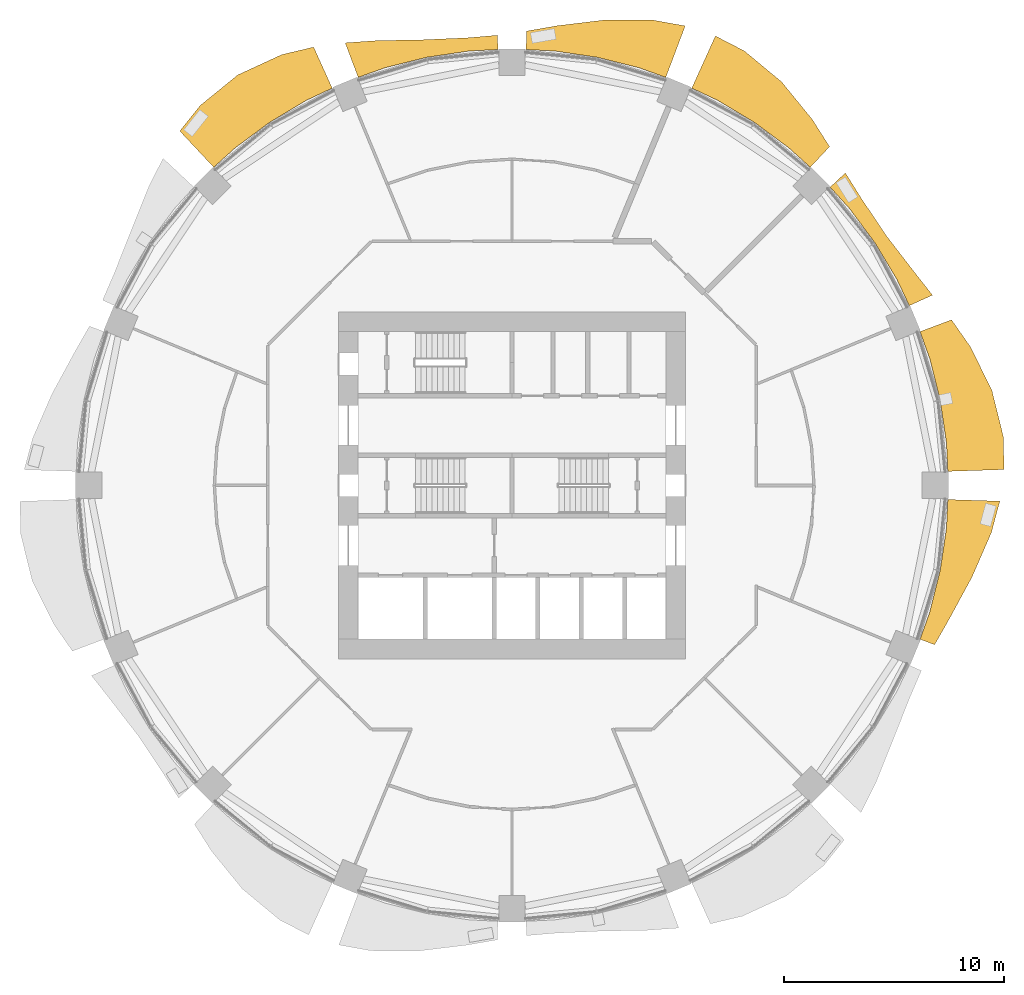
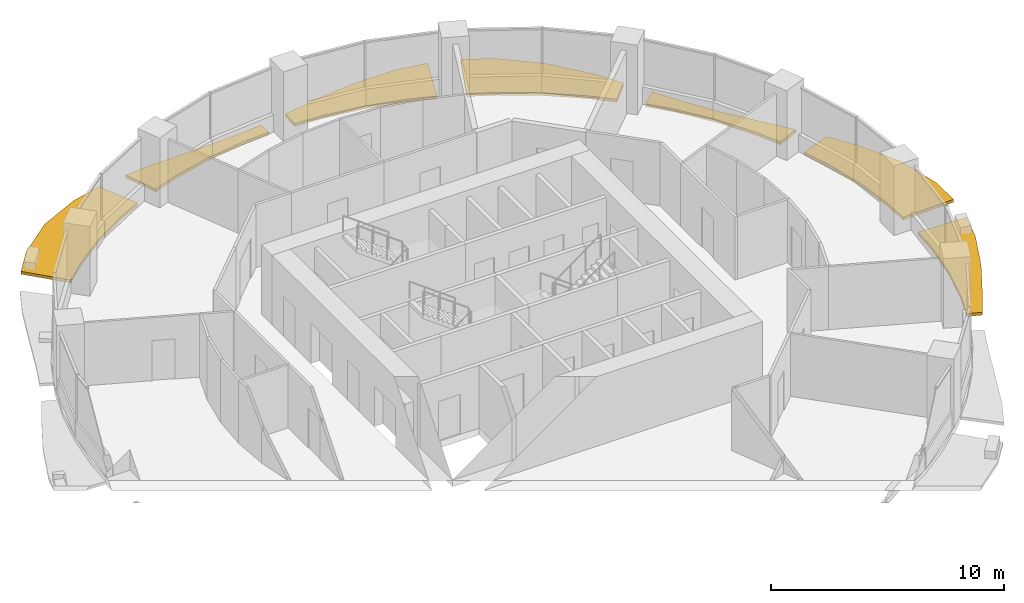
# One storey, part 14 of 15: 7 shading devices.
"""IFC4 building model written with IfcOpenShell, lengths in metres."""

from ifc_helpers import new_model, si_unit, direction, frame, origin, place, context, subcontext, project, spatial, polyline, outline, extrude, material, type_object, element, save


model = new_model("IFC4")

# Units and contexts
model_context = context("Model", 3, precision=1e-05, world=origin(), true_north=direction((0.0, 1.0)))
body_context = subcontext(model_context, "Body", "Model", "MODEL_VIEW")
ifc_project = project(units=[si_unit("LENGTHUNIT", "METRE"), si_unit("AREAUNIT", "SQUARE_METRE"), si_unit("VOLUMEUNIT", "CUBIC_METRE"), si_unit("PLANEANGLEUNIT", "RADIAN"), si_unit("MASSUNIT", "GRAM", prefix="KILO")], contexts=[model_context])

# Site, building, storey
site_placement = place(None, origin())
site = spatial("IfcSite", under=ifc_project, at=site_placement, CompositionType="ELEMENT")
building_placement = place(site_placement, origin())
building = spatial("IfcBuilding", under=site, at=building_placement, Name="Polderwave Tower", CompositionType="ELEMENT")
storey_placement = place(building_placement, frame((0.0, 0.0, 26.199951171875)))
storey = spatial("IfcBuildingStorey", under=building, at=storey_placement, Name="L06", CompositionType="ELEMENT", Elevation=26.199951171875)

# Shading devices
ifc_material = material(Name="Terracotta", Category="masonry")
shading_device_type = type_object("IfcShadingDeviceType", Name="Terracotta sunshade band", PredefinedType="USERDEFINED", material=ifc_material)
shading_device_1_placement = place(storey_placement, frame((0.0, 0.0, -0.349853515625)))
element("IfcShadingDevice", 1, at=shading_device_1_placement, inside=storey, type_object=shading_device_type, Name="Sunshade band L06 1", ObjectType="SUNSHADE", PredefinedType="USERDEFINED", context=body_context, shape_type="SweptSolid", body=[
    extrude(outline(polyline([(19.768798828125, 0.6376953125), (19.70458984375, 1.940673828125), (19.41943359375, 3.86279296875), (18.947509765625, 5.74755859375), (18.5078125, 6.97607421875), (19.93505859375, 7.513916015625), (20.7802734375, 6.3037109375), (21.762939453125, 4.328857421875), (22.28955078125, 2.1953125), (22.3154296875, 0.719970703125), (19.768798828125, 0.6376953125)])), origin(), (0.0, 0.0, 1.0), 0.14990234375),
])
shading_device_2_placement = place(storey_placement, frame((0.0, 0.0, -0.349853515625)))
element("IfcShadingDevice", 2, at=shading_device_2_placement, inside=storey, type_object=shading_device_type, Name="Sunshade band L06 2", ObjectType="SUNSHADE", PredefinedType="USERDEFINED", context=body_context, shape_type="SweptSolid", body=[
    extrude(outline(polyline([(18.019775390625, 8.154296875), (17.4619140625, 9.333740234375), (16.463134765625, 11.000244140625), (15.3056640625, 12.56103515625), (14.429443359375, 13.527587890625), (15.120849609375, 14.17578125), (15.851318359375, 13.0087890625), (16.968505859375, 11.337890625), (18.206298828125, 9.7314453125), (19.071533203125, 8.630126953125), (18.019775390625, 8.154296875)])), origin(), (0.0, 0.0, 1.0), 0.14990234375),
])
shading_device_3_placement = place(storey_placement, frame((0.0, 0.0, -0.349853515625)))
element("IfcShadingDevice", 3, at=shading_device_3_placement, inside=storey, type_object=shading_device_type, Name="Sunshade band L06 3", ObjectType="SUNSHADE", PredefinedType="USERDEFINED", context=body_context, shape_type="SweptSolid", body=[
    extrude(outline(polyline([(13.527587890625, 14.429443359375), (12.56103515625, 15.3056640625), (11.000244140625, 16.463134765625), (9.333740234375, 17.4619140625), (8.154296875, 18.019775390625), (9.22509765625, 20.385986328125), (10.53515625, 19.710205078125), (12.230224609375, 18.303955078125), (13.62158203125, 16.597900390625), (14.404541015625, 15.36474609375), (13.527587890625, 14.429443359375)])), origin(), (0.0, 0.0, 1.0), 0.14990234375),
])
shading_device_4_placement = place(storey_placement, frame((0.0, 0.0, -0.349853515625)))
element("IfcShadingDevice", 4, at=shading_device_4_placement, inside=storey, type_object=shading_device_type, Name="Sunshade band L06 4", ObjectType="SUNSHADE", PredefinedType="USERDEFINED", context=body_context, shape_type="SweptSolid", body=[
    extrude(outline(polyline([(6.97607421875, 18.5078125), (5.74755859375, 18.947509765625), (3.86279296875, 19.41943359375), (1.940673828125, 19.70458984375), (0.6376953125, 19.768798828125), (0.664794921875, 20.610107421875), (2.0537109375, 20.85107421875), (4.19921875, 21.110595703125), (6.402099609375, 21.104736328125), (7.856201171875, 20.8427734375), (6.97607421875, 18.5078125)])), origin(), (0.0, 0.0, 1.0), 0.14990234375),
])
shading_device_5_placement = place(storey_placement, frame((0.0, 0.0, -0.349853515625)))
element("IfcShadingDevice", 5, at=shading_device_5_placement, inside=storey, type_object=shading_device_type, Name="Sunshade band L06 5", ObjectType="SUNSHADE", PredefinedType="USERDEFINED", context=body_context, shape_type="SweptSolid", body=[
    extrude(outline(polyline([(-0.6376953125, 19.768798828125), (-1.940673828125, 19.70458984375), (-3.86279296875, 19.41943359375), (-5.74755859375, 18.947509765625), (-6.97607421875, 18.5078125), (-7.566650390625, 20.074951171875), (-6.12060546875, 20.1767578125), (-4.02099609375, 20.214599609375), (-1.999755859375, 20.30419921875), (-0.65869140625, 20.420166015625), (-0.6376953125, 19.768798828125)])), origin(), (0.0, 0.0, 1.0), 0.14990234375),
])
shading_device_6_placement = place(storey_placement, frame((0.0, 0.0, -0.349853515625)))
element("IfcShadingDevice", 6, at=shading_device_6_placement, inside=storey, type_object=shading_device_type, Name="Sunshade band L06 6", ObjectType="SUNSHADE", PredefinedType="USERDEFINED", context=body_context, shape_type="SweptSolid", body=[
    extrude(outline(polyline([(-8.154296875, 18.019775390625), (-9.333740234375, 17.4619140625), (-11.000244140625, 16.463134765625), (-12.56103515625, 15.3056640625), (-13.527587890625, 14.429443359375), (-15.068115234375, 16.072509765625), (-14.14306640625, 17.2333984375), (-12.4404296875, 18.618408203125), (-10.4443359375, 19.5400390625), (-8.99755859375, 19.883544921875), (-8.154296875, 18.019775390625)])), origin(), (0.0, 0.0, 1.0), 0.14990234375),
])
shading_device_7_placement = place(storey_placement, frame((0.0, 0.0, -0.349853515625)))
element("IfcShadingDevice", 7, at=shading_device_7_placement, inside=storey, type_object=shading_device_type, Name="Sunshade band L06 16", ObjectType="SUNSHADE", PredefinedType="USERDEFINED", context=body_context, shape_type="SweptSolid", body=[
    extrude(outline(polyline([(18.5078125, -6.97607421875), (18.947509765625, -5.74755859375), (19.41943359375, -3.86279296875), (19.70458984375, -1.940673828125), (19.768798828125, -0.6376953125), (22.12548828125, -0.713623046875), (21.742919921875, -2.1416015625), (20.8671875, -4.150634765625), (19.852294921875, -6.022216796875), (19.16748046875, -7.224609375), (18.5078125, -6.97607421875)])), origin(), (0.0, 0.0, 1.0), 0.14990234375),
])

save(model, "model.ifc")
